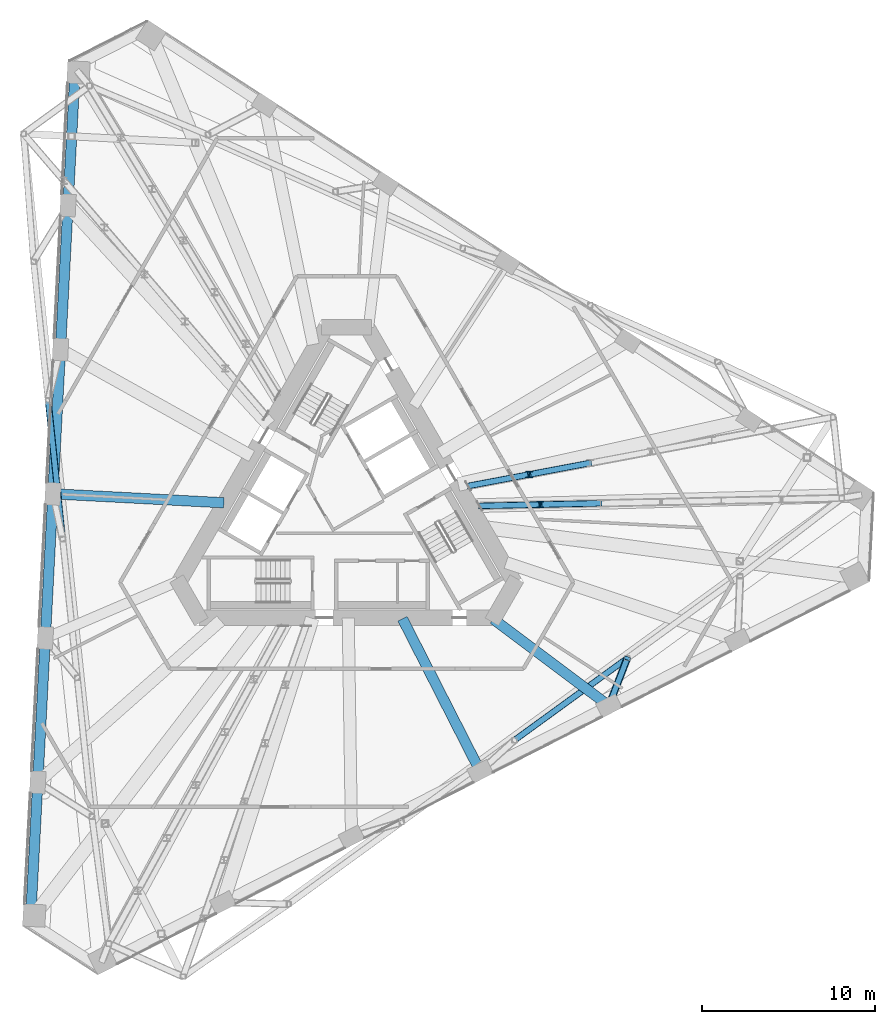
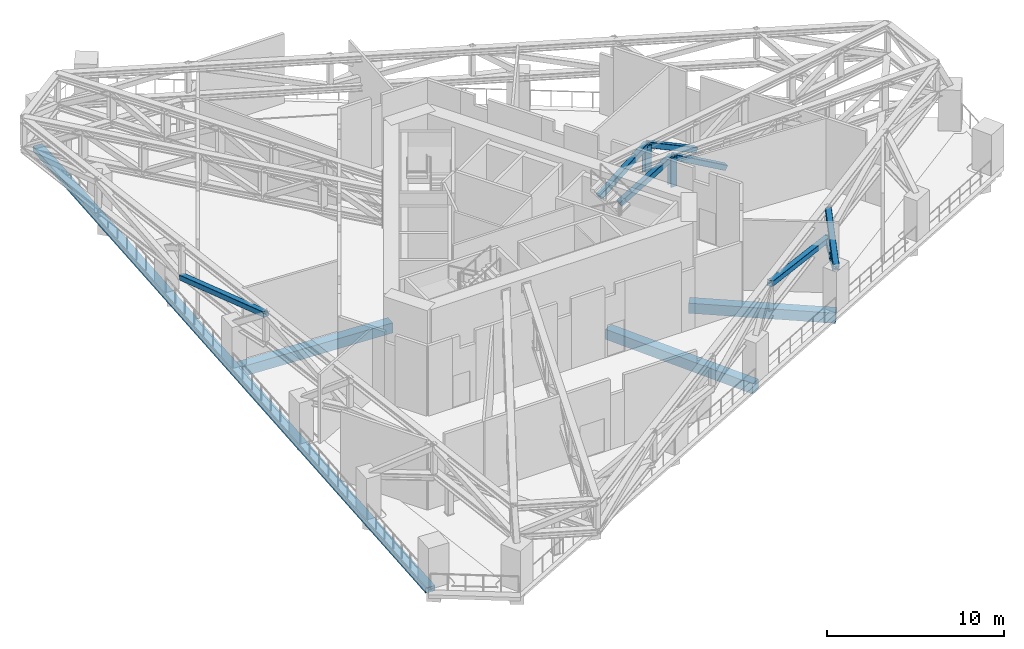
# One storey, part 7 of 26: 10 members, 4 beams.
"""IFC4 building model written with IfcOpenShell, lengths in metres."""

from ifc_helpers import new_model, si_unit, direction, frame, origin, origin_2d, place, context, subcontext, project, spatial, rectangle, hollow_rectangle, i_section, extrude, material, material_profile, profile_set, type_object, element, save


model = new_model("IFC4")

# Units and contexts
model_context = context("Model", 3, precision=1e-05, world=origin(), true_north=direction((0.0, 1.0)))
body_context = subcontext(model_context, "Body", "Model", "MODEL_VIEW")
ifc_project = project(units=[si_unit("LENGTHUNIT", "METRE"), si_unit("AREAUNIT", "SQUARE_METRE"), si_unit("VOLUMEUNIT", "CUBIC_METRE"), si_unit("PLANEANGLEUNIT", "RADIAN"), si_unit("MASSUNIT", "GRAM", prefix="KILO")], contexts=[model_context])

# Site, building, storey
site_placement = place(None, origin())
site = spatial("IfcSite", under=ifc_project, at=site_placement, CompositionType="ELEMENT")
building_placement = place(site_placement, origin())
building = spatial("IfcBuilding", under=site, at=building_placement, Name="Tramontana Tower", CompositionType="ELEMENT")
storey_placement = place(building_placement, frame((0.0, 0.0, 157.60009765625)))
storey = spatial("IfcBuildingStorey", under=building, at=storey_placement, Name="L36", CompositionType="ELEMENT", Elevation=157.60009765625)

# Members
ifc_material_1 = material(Name="Steel ASTM A500 Grade C", Category="steel")
ifc_material_profile_1 = material_profile(ifc_material_1, hollow_rectangle(XDim=0.355712890625, YDim=0.355712890625, WallThickness=0.01171875, InnerFilletRadius=0.01171875, OuterFilletRadius=0.023681640625, at=origin_2d()), Name="HSS14X14X1/2")
ifc_profile_set_1 = profile_set([ifc_material_profile_1], Name="Steel ASTM A500 Grade C")
member_type_1 = type_object("IfcMemberType", Name="Belt truss HSS14X14X1/2 brace", PredefinedType="BRACE", material=ifc_profile_set_1)
for number, where, z_axis, x_axis, name in (
    (1, (-17.30419921875, 6.30859375, 2.617431640625), (0.101434469563, -0.964990275885, 0.241877687751), (0.994520834169, 0.104538559408, 0.0), "Belt truss diagonal S0.3"),
    (2, (9.727783203125, -13.38916015625, 4.63232421875), (0.785001385935, 0.570323948863, -0.241874797018), (-0.587776522019, 0.809023337218, 0.0), "Belt truss diagonal S1.4"),
):
    element("IfcMember", number, at=place(storey_placement, frame(where, z_axis=z_axis, x_axis=x_axis)), inside=storey, type_object=member_type_1, Name=name, PredefinedType="BRACE", context=body_context, shape_type="SweptSolid", body=[
        extrude(hollow_rectangle(XDim=0.355712890625, YDim=0.355712890625, WallThickness=0.01171875, InnerFilletRadius=0.01171875, OuterFilletRadius=0.023681640625, at=origin_2d()), origin(), (0.0, 0.0, 1.0), 8.330322265625),
    ])

# Beams
ifc_material_2 = material(Name="Concrete 40 MPa", Category="concrete")
ifc_material_profile_2 = material_profile(ifc_material_2, rectangle(XDim=0.60009765625, YDim=0.35009765625, at=origin_2d()), Name="RC EDGE BEAM 600X350 40 MPa")
ifc_profile_set_2 = profile_set([ifc_material_profile_2], Name="Concrete 40 MPa")
beam_type_1 = type_object("IfcBeamType", Name="RC EDGE BEAM 600X350 40 MPa", PredefinedType="SPANDREL", material=ifc_profile_set_2)
beam_1_placement = place(storey_placement, frame((-15.74609375, 25.323486328125, -0.525146484375), z_axis=(-0.052336488944, -0.998629506837, 0.0), x_axis=(0.998629506837, -0.052336488944, 0.0)))
element("IfcBeam", 3, at=beam_1_placement, inside=storey, type_object=beam_type_1, Name="Spandrel beam S0 L36", PredefinedType="SPANDREL", context=body_context, shape_type="SweptSolid", body=[
    extrude(rectangle(XDim=0.60009765625, YDim=0.35009765625, at=origin_2d()), origin(), (0.0, 0.0, 1.0), 48.929443359375),
])
ifc_material_3 = material(Name="Concrete 40 MPa", Category="concrete")
ifc_material_profile_3 = material_profile(ifc_material_3, rectangle(XDim=0.60009765625, YDim=0.699951171875, at=origin_2d()), Name="RC GIRDER 600X700 40 MPa")
ifc_profile_set_3 = profile_set([ifc_material_profile_3], Name="Concrete 40 MPa")
beam_type_2 = type_object("IfcBeamType", Name="RC GIRDER 600X700 40 MPa", PredefinedType="BEAM", material=ifc_profile_set_3)
beam_2_placement = place(storey_placement, frame((-17.026611328125, 0.892333984375, -0.7001953125), z_axis=(0.998628816447, -0.052349660575, 0.0), x_axis=(0.052349660575, 0.998628816447, 0.0)))
element("IfcBeam", 4, at=beam_2_placement, inside=storey, type_object=beam_type_2, Name="Radial girder C3F03 L36", PredefinedType="BEAM", context=body_context, shape_type="SweptSolid", body=[
    extrude(rectangle(XDim=0.60009765625, YDim=0.699951171875, at=origin_2d()), origin(), (0.0, 0.0, 1.0), 9.92431640625),
])
beam_3_placement = place(storey_placement, frame((7.740478515625, -15.191650390625, -0.7001953125), z_axis=(-0.453980690523, 0.891011522166, 0.0), x_axis=(-0.891011522166, -0.453980690523, 0.0)))
element("IfcBeam", 5, at=beam_3_placement, inside=storey, type_object=beam_type_2, Name="Radial girder C3F08 L36", PredefinedType="BEAM", context=body_context, shape_type="SweptSolid", body=[
    extrude(rectangle(XDim=0.60009765625, YDim=0.699951171875, at=origin_2d()), origin(), (0.0, 0.0, 1.0), 9.924072265625),
])
beam_4_placement = place(storey_placement, frame((15.19970703125, -11.39111328125, -0.7001953125), z_axis=(-0.800213580839, 0.599715119904, 0.0), x_axis=(-0.599715119904, -0.800213580839, 0.0)))
element("IfcBeam", 6, at=beam_4_placement, inside=storey, type_object=beam_type_2, Name="Radial girder C3F09 L36", PredefinedType="BEAM", context=body_context, shape_type="SweptSolid", body=[
    extrude(rectangle(XDim=0.60009765625, YDim=0.699951171875, at=origin_2d()), origin(), (0.0, 0.0, 1.0), 8.365478515625),
])

# Members
ifc_material_4 = material(Name="Steel ASTM A500 Grade C", Category="steel")
ifc_material_profile_4 = material_profile(ifc_material_4, hollow_rectangle(XDim=0.355712890625, YDim=0.355712890625, WallThickness=0.01171875, InnerFilletRadius=0.01171875, OuterFilletRadius=0.023681640625, at=origin_2d()), Name="HSS14X14X1/2")
ifc_profile_set_4 = profile_set([ifc_material_profile_4], Name="Steel ASTM A500 Grade C")
member_type_2 = type_object("IfcMemberType", Name="Transfer truss HSS14X14X1/2 brace", PredefinedType="BRACE", material=ifc_profile_set_4)
member_1_placement = place(storey_placement, frame((15.19970703125, -11.39111328125, 2.617431640625), z_axis=(0.29860255617, 0.770137791257, 0.563670378791), x_axis=(-0.932370409533, 0.361504383689, 0.0)))
element("IfcMember", 7, at=member_1_placement, inside=storey, type_object=member_type_2, Name="Transfer truss strut C4F09 diagonal", PredefinedType="BRACE", context=body_context, shape_type="SweptSolid", body=[
    extrude(hollow_rectangle(XDim=0.355712890625, YDim=0.355712890625, WallThickness=0.01171875, InnerFilletRadius=0.01171875, OuterFilletRadius=0.023681640625, at=origin_2d()), origin(), (0.0, 0.0, 1.0), 3.57470703125),
])
member_2_placement = place(storey_placement, frame((7.729248046875, 0.1923828125, 2.617431640625), z_axis=(0.866213408774, 0.018634750989, 0.499326623079), x_axis=(-0.021507910377, 0.999768678141, 0.0)))
element("IfcMember", 8, at=member_2_placement, inside=storey, type_object=member_type_2, Name="Transfer truss diagonal 3.1", PredefinedType="BRACE", context=body_context, shape_type="SweptSolid", body=[
    extrude(hollow_rectangle(XDim=0.355712890625, YDim=0.355712890625, WallThickness=0.01171875, InnerFilletRadius=0.01171875, OuterFilletRadius=0.023681640625, at=origin_2d()), origin(), (0.0, 0.0, 1.0), 4.03515625),
])
member_3_placement = place(storey_placement, frame((11.224609375, 0.267578125, 4.63232421875), z_axis=(0.866227535384, 0.01869425258, -0.499299891711), x_axis=(-0.021576202462, 0.999767206647, 0.0)))
element("IfcMember", 9, at=member_3_placement, inside=storey, type_object=member_type_2, Name="Transfer truss diagonal 3.2", PredefinedType="BRACE", context=body_context, shape_type="SweptSolid", body=[
    extrude(hollow_rectangle(XDim=0.355712890625, YDim=0.355712890625, WallThickness=0.01171875, InnerFilletRadius=0.01171875, OuterFilletRadius=0.023681640625, at=origin_2d()), origin(), (0.0, 0.0, 1.0), 4.035400390625),
])
member_4_placement = place(storey_placement, frame((7.061279296875, 1.349609375, 2.617431640625), z_axis=(0.856732383645, 0.161601709661, 0.489790271697), x_axis=(-0.185357010539, 0.982671246473, 0.0)))
element("IfcMember", 10, at=member_4_placement, inside=storey, type_object=member_type_2, Name="Transfer truss diagonal 4.1", PredefinedType="BRACE", context=body_context, shape_type="SweptSolid", body=[
    extrude(hollow_rectangle(XDim=0.355712890625, YDim=0.355712890625, WallThickness=0.01171875, InnerFilletRadius=0.01171875, OuterFilletRadius=0.023681640625, at=origin_2d()), origin(), (0.0, 0.0, 1.0), 4.11376953125),
])
member_5_placement = place(storey_placement, frame((10.585693359375, 2.014404296875, 4.63232421875), z_axis=(0.856748169297, 0.161593493454, -0.48976536962), x_axis=(-0.185344612583, 0.982673584964, 0.0)))
element("IfcMember", 11, at=member_5_placement, inside=storey, type_object=member_type_2, Name="Transfer truss diagonal 4.2", PredefinedType="BRACE", context=body_context, shape_type="SweptSolid", body=[
    extrude(hollow_rectangle(XDim=0.355712890625, YDim=0.355712890625, WallThickness=0.01171875, InnerFilletRadius=0.01171875, OuterFilletRadius=0.023681640625, at=origin_2d()), origin(), (0.0, 0.0, 1.0), 4.114013671875),
])
ifc_material_5 = material(Name="Steel ASTM A992 Grade 50", Category="steel")
ifc_material_profile_5 = material_profile(ifc_material_5, i_section(OverallWidth=0.39697265625, OverallDepth=0.387451171875, WebThickness=0.020751953125, FlangeThickness=0.033447265625, FilletRadius=0.01513671875, at=origin_2d()), Name="W14X176")
ifc_profile_set_5 = profile_set([ifc_material_profile_5], Name="Steel ASTM A992 Grade 50")
member_type_3 = type_object("IfcMemberType", Name="Transfer truss W14X176 post", PredefinedType="POST", material=ifc_profile_set_5)
for number, where, z_axis, x_axis, name in (
    (12, (11.224609375, 0.267578125, 2.617431640625), (0.0, 0.0, 1.0), (1.0, 0.0, 0.0), "Transfer truss post 3.1"),
    (13, (10.585693359375, 2.014404296875, 2.617431640625), (0.0, 0.0, 1.0), (1.0, 0.0, 0.0), "Transfer truss post 4.1"),
):
    element("IfcMember", number, at=place(storey_placement, frame(where, z_axis=z_axis, x_axis=x_axis)), inside=storey, type_object=member_type_3, Name=name, PredefinedType="POST", context=body_context, shape_type="SweptSolid", body=[
        extrude(i_section(OverallWidth=0.39697265625, OverallDepth=0.387451171875, WebThickness=0.020751953125, FlangeThickness=0.033447265625, FilletRadius=0.01513671875, at=origin_2d()), origin(), (0.0, 0.0, 1.0), 2.014892578125),
    ])
ifc_material_6 = material(Name="Steel ASTM A992 Grade 50", Category="steel")
ifc_material_profile_6 = material_profile(ifc_material_6, i_section(OverallWidth=0.412841796875, OverallDepth=0.43505859375, WebThickness=0.03662109375, FlangeThickness=0.05712890625, FilletRadius=0.01513671875, at=origin_2d()), Name="W14X311")
ifc_profile_set_6 = profile_set([ifc_material_profile_6], Name="Steel ASTM A992 Grade 50")
member_type_4 = type_object("IfcMemberType", Name="Transfer truss W14X311 strut", PredefinedType="STRUT", material=ifc_profile_set_6)
member_6_placement = place(storey_placement, frame((15.19970703125, -11.39111328125, 2.617431640625), z_axis=(0.361504383689, 0.932370409533, 0.0), x_axis=(-0.932370409533, 0.361504383689, 0.0)))
element("IfcMember", 14, at=member_6_placement, inside=storey, type_object=member_type_4, Name="Transfer truss strut C4F09 bottom", PredefinedType="STRUT", context=body_context, shape_type="SweptSolid", body=[
    extrude(i_section(OverallWidth=0.412841796875, OverallDepth=0.43505859375, WebThickness=0.03662109375, FlangeThickness=0.05712890625, FilletRadius=0.01513671875, at=origin_2d()), origin(), (0.0, 0.0, 1.0), 2.95263671875),
])

save(model, "model.ifc")
